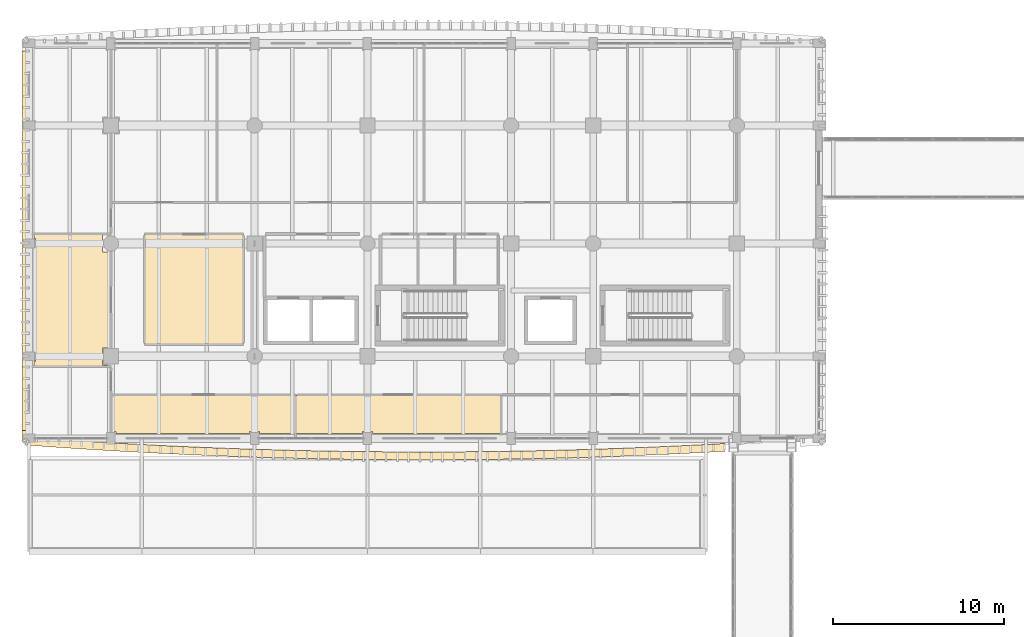
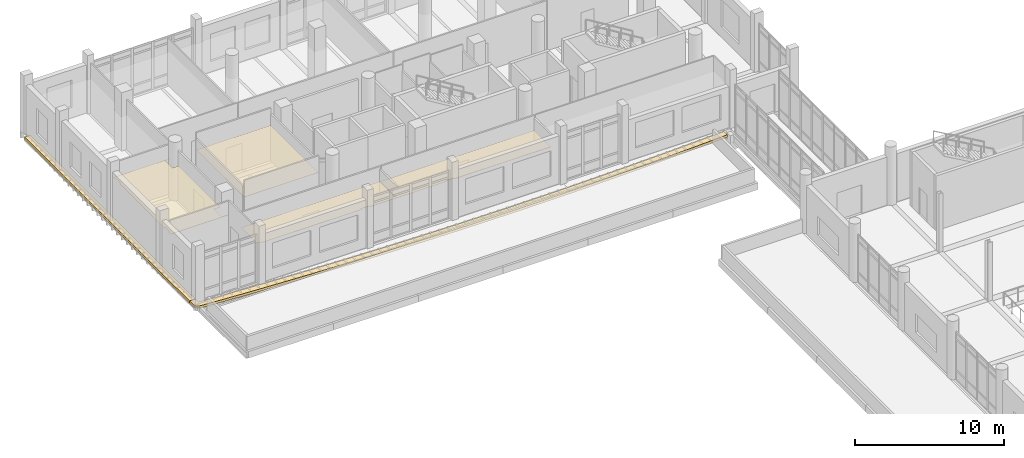
# One storey, part 109 of 125: 6 coverings.
"""IFC4 building model written with IfcOpenShell, lengths in metres."""

from ifc_helpers import new_model, si_unit, direction, frame, origin, place, context, subcontext, project, spatial, polyline, outline, extrude, material, layer, layer_set, type_object, element, save


model = new_model("IFC4")

# Units and contexts
model_context = context("Model", 3, precision=1e-05, world=origin(), true_north=direction((0.0, 1.0)))
body_context = subcontext(model_context, "Body", "Model", "MODEL_VIEW")
ifc_project = project(units=[si_unit("LENGTHUNIT", "METRE"), si_unit("AREAUNIT", "SQUARE_METRE"), si_unit("VOLUMEUNIT", "CUBIC_METRE"), si_unit("PLANEANGLEUNIT", "RADIAN"), si_unit("MASSUNIT", "GRAM", prefix="KILO")], contexts=[model_context])

# Site, building, storey
site_placement = place(None, origin())
site = spatial("IfcSite", under=ifc_project, at=site_placement, CompositionType="ELEMENT")
building_placement = place(site_placement, origin())
building = spatial("IfcBuilding", under=site, at=building_placement, Name="Dornvale Research Institute", CompositionType="ELEMENT")
storey_placement = place(building_placement, frame((0.0, 0.0, 5.39990234375)))
storey = spatial("IfcBuildingStorey", under=building, at=storey_placement, Name="L01", CompositionType="ELEMENT", Elevation=5.39990234375)

# Coverings
ifc_material_1 = material(Name="Mineral-Fibre Acoustic Lay-In Ceiling Tile System")
ifc_layer_1 = layer(ifc_material_1, 0.02001953125)
ifc_layer_set_1 = layer_set([ifc_layer_1], Name="Mineral-Fibre Acoustic Lay-In Ceiling Tile System")
covering_type_1 = type_object("IfcCoveringType", Name="Covering_Acoustic_Ceiling", PredefinedType="CEILING", material=ifc_layer_set_1)
covering_1_placement = place(storey_placement, frame((0.0, 0.0, 2.85009765625)))
element("IfcCovering", 1, at=covering_1_placement, inside=storey, type_object=covering_type_1, Name="L01 High-Speed Cluster Server Room L01 suspended ceiling", PredefinedType="CEILING", context=body_context, shape_type="SweptSolid", body=[
    extrude(outline(polyline([(12.530029296875, 110.929931640625), (12.530029296875, 104.52001953125), (6.77001953125, 104.52001953125), (6.77001953125, 110.929931640625), (12.530029296875, 110.929931640625)])), origin(), (0.0, 0.0, 1.0), 0.02001953125),
])
covering_2_placement = place(storey_placement, frame((0.0, 0.0, 2.85009765625)))
element("IfcCovering", 2, at=covering_2_placement, inside=storey, type_object=covering_type_1, Name="L01 Bioinformatics Instrument Rack Alcove L01 suspended ceiling", PredefinedType="CEILING", context=body_context, shape_type="SweptSolid", body=[
    extrude(outline(polyline([(0.39990234375, 103.5), (0.39990234375, 104.10009765625), (0.300048828125, 104.10009765625), (0.300048828125, 110.10009765625), (0.39990234375, 110.10009765625), (0.39990234375, 110.699951171875), (0.300048828125, 110.699951171875), (0.300048828125, 110.929931640625), (4.780029296875, 110.929931640625), (4.780029296875, 110.89990234375), (4.300048828125, 110.89990234375), (4.300048828125, 109.89990234375), (4.780029296875, 109.89990234375), (4.780029296875, 104.300048828125), (4.300048828125, 104.300048828125), (4.300048828125, 103.300048828125), (4.780029296875, 103.300048828125), (4.780029296875, 103.219970703125), (0.300048828125, 103.219970703125), (0.300048828125, 103.5), (0.39990234375, 103.5)])), origin(), (0.0, 0.0, 1.0), 0.02001953125),
])
covering_3_placement = place(storey_placement, frame((0.0, 0.0, 2.85009765625)))
element("IfcCovering", 3, at=covering_3_placement, inside=storey, type_object=covering_type_1, Name="L01 Computational Genomics Laboratory suspended ceiling", PredefinedType="CEILING", context=body_context, shape_type="SweptSolid", body=[
    extrude(outline(polyline([(12.89990234375, 99.39990234375), (12.89990234375, 99.300048828125), (5.10009765625, 99.300048828125), (5.10009765625, 99.39990234375), (4.820068359375, 99.39990234375), (4.820068359375, 101.530029296875), (15.580078125, 101.530029296875), (15.580078125, 99.300048828125), (13.5, 99.300048828125), (13.5, 99.39990234375), (12.89990234375, 99.39990234375)])), origin(), (0.0, 0.0, 1.0), 0.02001953125),
])
covering_4_placement = place(storey_placement, frame((0.0, 0.0, 2.85009765625)))
element("IfcCovering", 4, at=covering_4_placement, inside=storey, type_object=covering_type_1, Name="L01 Seminar Room L01-S suspended ceiling", PredefinedType="CEILING", context=body_context, shape_type="SweptSolid", body=[
    extrude(outline(polyline([(19.5, 99.39990234375), (19.5, 99.300048828125), (15.6201171875, 99.300048828125), (15.6201171875, 101.530029296875), (27.580078125, 101.530029296875), (27.580078125, 99.300048828125), (20.10009765625, 99.300048828125), (20.10009765625, 99.39990234375), (19.5, 99.39990234375)])), origin(), (0.0, 0.0, 1.0), 0.02001953125),
])
ifc_material_2 = material(Name="Polychrome Glazed Terracotta Visor Rib Ceramic", Category="masonry")
ifc_layer_2 = layer(ifc_material_2, 0.199951171875)
ifc_layer_set_2 = layer_set([ifc_layer_2], Name="Polychrome Glazed Terracotta Visor Rib Ceramic")
covering_type_2 = type_object("IfcCoveringType", Name="Covering_VisorBrim_Shelf", PredefinedType="CLADDING", material=ifc_layer_set_2)
covering_5_placement = place(storey_placement, frame((0.0, 0.0, -0.27978515625)))
element("IfcCovering", 5, at=covering_5_placement, inside=storey, type_object=covering_type_2, Name="L01 V5 canted bowed-brim visor hood #1", PredefinedType="CLADDING", context=body_context, shape_type="SweptSolid", body=[
    extrude(outline(polyline([(0.06005859375, 99.055908203125), (1.654052734375, 98.94287109375), (3.3037109375, 98.83447265625), (4.95361328125, 98.734619140625), (6.60302734375, 98.6435546875), (8.252685546875, 98.561279296875), (9.902587890625, 98.487548828125), (11.55224609375, 98.422607421875), (13.201904296875, 98.3662109375), (14.8515625, 98.318359375), (16.501220703125, 98.279296875), (18.15087890625, 98.2490234375), (19.800537109375, 98.227294921875), (21.4501953125, 98.21435546875), (23.10009765625, 98.2099609375), (24.749755859375, 98.21435546875), (26.3994140625, 98.227294921875), (28.049072265625, 98.2490234375), (29.69873046875, 98.279296875), (31.348388671875, 98.318359375), (32.998046875, 98.3662109375), (34.647705078125, 98.422607421875), (36.297607421875, 98.487548828125), (37.947265625, 98.561279296875), (39.596923828125, 98.6435546875), (40.699951171875, 98.70458984375), (40.699951171875, 98.240478515625), (39.622314453125, 98.18115234375), (39.6201171875, 98.180908203125), (37.97021484375, 98.0986328125), (37.968017578125, 98.098388671875), (36.318115234375, 98.02490234375), (36.31591796875, 98.024658203125), (34.666015625, 97.959716796875), (34.663818359375, 97.95947265625), (33.013916015625, 97.903076171875), (33.01171875, 97.903076171875), (31.36181640625, 97.85546875), (31.359619140625, 97.855224609375), (29.70947265625, 97.81640625), (29.70751953125, 97.81640625), (28.057373046875, 97.785888671875), (28.055419921875, 97.785888671875), (26.4052734375, 97.76416015625), (26.4033203125, 97.76416015625), (24.753173828125, 97.751220703125), (24.751220703125, 97.751220703125), (23.10107421875, 97.746826171875), (23.098876953125, 97.746826171875), (21.448974609375, 97.751220703125), (21.44677734375, 97.751220703125), (19.796875, 97.76416015625), (19.794677734375, 97.76416015625), (18.144775390625, 97.785888671875), (18.142578125, 97.785888671875), (16.49267578125, 97.81640625), (16.490478515625, 97.81640625), (14.840576171875, 97.855224609375), (14.83837890625, 97.85546875), (13.188232421875, 97.903076171875), (13.186279296875, 97.903076171875), (11.5361328125, 97.95947265625), (11.5341796875, 97.959716796875), (9.884033203125, 98.024658203125), (9.882080078125, 98.02490234375), (8.23193359375, 98.098388671875), (8.22998046875, 98.0986328125), (6.579833984375, 98.180908203125), (6.577880859375, 98.18115234375), (4.927734375, 98.272216796875), (4.92578125, 98.272216796875), (3.275634765625, 98.3720703125), (3.273681640625, 98.372314453125), (1.62353515625, 98.480712890625), (1.62158203125, 98.480712890625), (-0.028564453125, 98.597900390625), (-0.173828125, 98.63623046875), (-0.294921875, 98.72509765625), (-0.375244140625, 98.852294921875), (-0.4033203125, 99.0), (-0.4033203125, 99.449951171875), (0.06005859375, 99.449951171875), (0.06005859375, 99.055908203125)])), origin(), (0.0, 0.0, 1.0), 0.199951171875),
])
covering_6_placement = place(storey_placement, frame((0.0, 0.0, -0.27978515625)))
element("IfcCovering", 6, at=covering_6_placement, inside=storey, type_object=covering_type_2, Name="L01 V5 canted bowed-brim visor hood #4", PredefinedType="CLADDING", context=body_context, shape_type="SweptSolid", body=[
    extrude(outline(polyline([(0.06005859375, 99.449951171875), (-0.4033203125, 99.449951171875), (-0.4033203125, 121.64990234375), (0.06005859375, 121.64990234375), (0.06005859375, 99.449951171875)])), origin(), (0.0, 0.0, 1.0), 0.199951171875),
])

save(model, "model.ifc")
